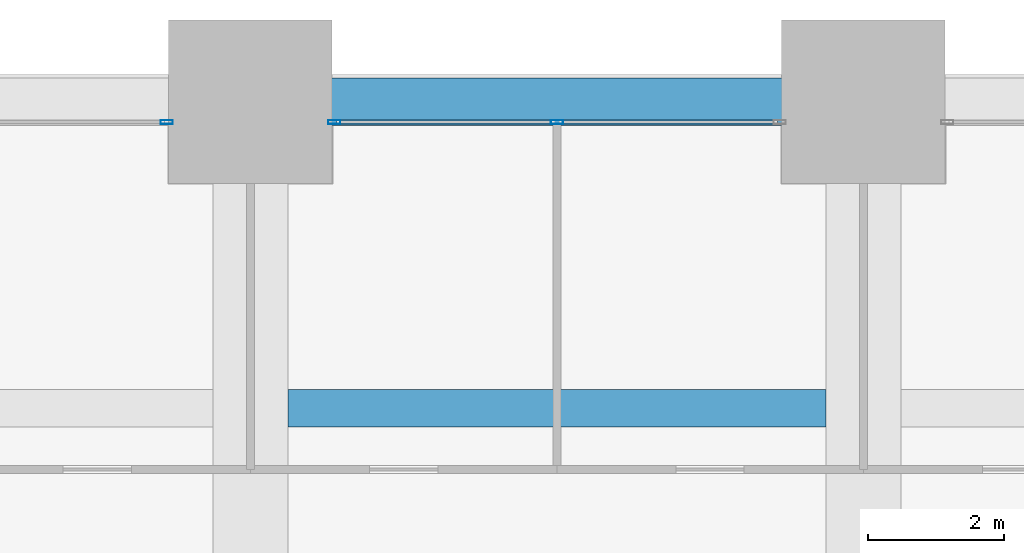
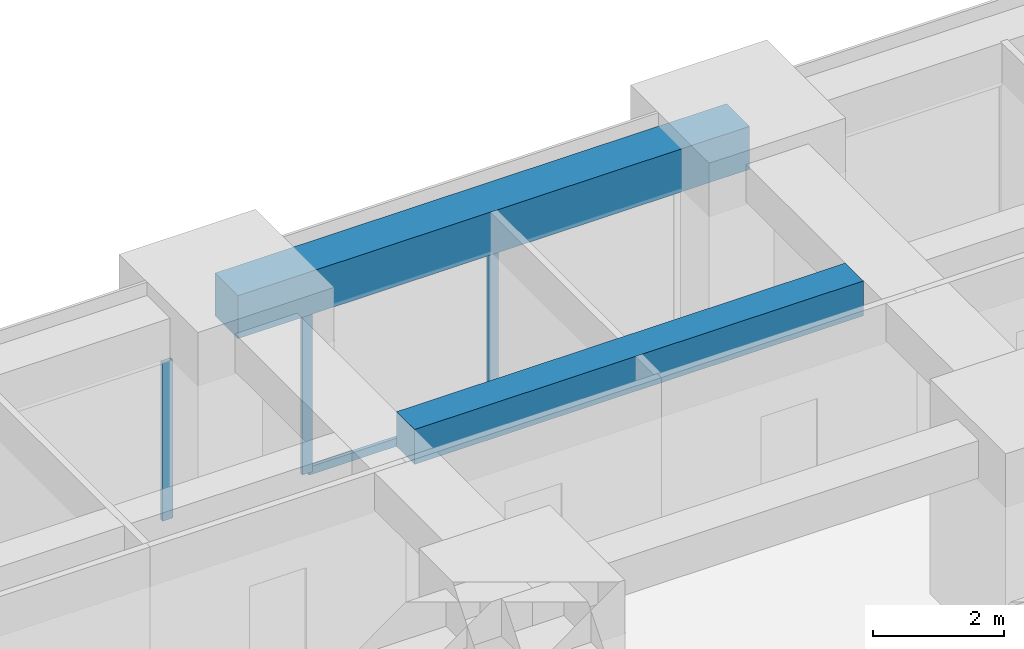
# One storey, part 30 of 44: 4 members, 2 beams, 2 elements without a shape of their own.
"""IFC4 building model written with IfcOpenShell, lengths in metres."""

from ifc_helpers import new_model, si_unit, direction, frame, origin, origin_2d, place, context, subcontext, project, spatial, rectangle, hollow_rectangle, extrude, material, material_profile, profile_set, type_object, element, aggregate, save


model = new_model("IFC4")

# Units and contexts
model_context = context("Model", 3, precision=1e-05, world=origin(), true_north=direction((0.0, 1.0)))
body_context = subcontext(model_context, "Body", "Model", "MODEL_VIEW")
ifc_project = project(units=[si_unit("LENGTHUNIT", "METRE"), si_unit("AREAUNIT", "SQUARE_METRE"), si_unit("VOLUMEUNIT", "CUBIC_METRE"), si_unit("PLANEANGLEUNIT", "RADIAN"), si_unit("MASSUNIT", "GRAM", prefix="KILO")], contexts=[model_context])

# Site, building, storey
site_placement = place(None, origin())
site = spatial("IfcSite", under=ifc_project, at=site_placement, CompositionType="ELEMENT")
building_placement = place(site_placement, origin())
building = spatial("IfcBuilding", under=site, at=building_placement, Name="Zorevar Civic Tower", CompositionType="ELEMENT")
storey_placement = place(building_placement, frame((0.0, 0.0, 35.800048828125)))
storey = spatial("IfcBuildingStorey", under=building, at=storey_placement, Name="L08", CompositionType="ELEMENT", Elevation=35.800048828125)

# Beam
ifc_material_1 = material(Name="Concrete C50/60", Category="concrete")
ifc_material_profile_1 = material_profile(ifc_material_1, rectangle(XDim=0.550048828125, YDim=0.64990234375, at=origin_2d()), Name="RC 550x650")
ifc_profile_set_1 = profile_set([ifc_material_profile_1], Name="Concrete C50/60")
beam_type_1 = type_object("IfcBeamType", Name="Beam RC 550x650", PredefinedType="BEAM", material=ifc_profile_set_1)
beam_1_placement = place(storey_placement, frame((27.550048828125, 49.5, 3.425048828125), z_axis=(1.0, 0.0, 0.0), x_axis=(0.0, 1.0, 0.0)))
element("IfcBeam", 1, at=beam_1_placement, inside=storey, type_object=beam_type_1, Name="Secondary beam L09", PredefinedType="BEAM", context=body_context, shape_type="SweptSolid", body=[
    extrude(rectangle(XDim=0.550048828125, YDim=0.64990234375, at=origin_2d()), origin(), (0.0, 0.0, 1.0), 7.89990234375),
])

# Curtain wall, member
ifc_material_2 = material(Name="Dark grey solar-control glass in black aluminium frame", Category="aluminium")
curtain_wall_type = type_object("IfcCurtainWallType", Name="Curtain wall CW2 low zone", PredefinedType="NOTDEFINED", material=ifc_material_2)
curtain_wall_1_placement = place(storey_placement, origin())
curtain_wall_1 = element("IfcCurtainWall", 2, at=curtain_wall_1_placement, inside=storey, type_object=curtain_wall_type, Name="CW2 L08", PredefinedType="NOTDEFINED")
ifc_material_3 = material(Name="Aluminium, black anodised", Category="aluminium")
ifc_material_profile_2 = material_profile(ifc_material_3, hollow_rectangle(XDim=0.06005859375, YDim=0.179931640625, WallThickness=0.00390625, at=origin_2d()), Name="AL 180x60x4")
ifc_profile_set_2 = profile_set([ifc_material_profile_2], Name="Aluminium, black anodised")
member_type_1 = type_object("IfcMemberType", Name="CW2 mullion AL 180x60x4", PredefinedType="MULLION", material=ifc_profile_set_2)
member_1_placement = place(storey_placement, frame((25.77001953125, 53.699951171875, 0.0), z_axis=(0.0, 0.0, 1.0), x_axis=(0.0, 1.0, 0.0)))
member_1 = element("IfcMember", 3, at=member_1_placement, type_object=member_type_1, Name="CW2 mullion 3", PredefinedType="MULLION", context=body_context, shape_type="SweptSolid", body=[
    extrude(hollow_rectangle(XDim=0.06005859375, YDim=0.179931640625, WallThickness=0.00390625, at=origin_2d()), origin(), (0.0, 0.0, 1.0), 2.949951171875),
])
aggregate(curtain_wall_1, [member_1])

# Curtain wall, members
curtain_wall_2_placement = place(storey_placement, origin())
curtain_wall_2 = element("IfcCurtainWall", 4, at=curtain_wall_2_placement, inside=storey, type_object=curtain_wall_type, Name="CW2 L08", PredefinedType="NOTDEFINED")
member_2_placement = place(storey_placement, frame((28.22998046875, 53.699951171875, 0.0), z_axis=(0.0, 0.0, 1.0), x_axis=(0.0, 1.0, 0.0)))
member_2 = element("IfcMember", 5, at=member_2_placement, type_object=member_type_1, Name="CW2 mullion 1", PredefinedType="MULLION", context=body_context, shape_type="SweptSolid", body=[
    extrude(hollow_rectangle(XDim=0.06005859375, YDim=0.179931640625, WallThickness=0.00390625, at=origin_2d()), origin(), (0.0, 0.0, 1.0), 2.949951171875),
])
member_3_placement = place(storey_placement, frame((31.5, 53.699951171875, 0.06005859375), z_axis=(0.0, 0.0, 1.0), x_axis=(0.0, 1.0, 0.0)))
member_3 = element("IfcMember", 6, at=member_3_placement, type_object=member_type_1, Name="CW2 mullion 2", PredefinedType="MULLION", context=body_context, shape_type="SweptSolid", body=[
    extrude(hollow_rectangle(XDim=0.06005859375, YDim=0.179931640625, WallThickness=0.00390625, at=origin_2d()), origin(), (0.0, 0.0, 1.0), 2.889892578125),
])
ifc_material_4 = material(Name="Aluminium, black anodised", Category="aluminium")
ifc_material_profile_3 = material_profile(ifc_material_4, hollow_rectangle(XDim=0.06005859375, YDim=0.14990234375, WallThickness=0.00390625, at=origin_2d()), Name="AL 150x60x4")
ifc_profile_set_3 = profile_set([ifc_material_profile_3], Name="Aluminium, black anodised")
member_type_2 = type_object("IfcMemberType", Name="CW2 transom AL 150x60x4", PredefinedType="USERDEFINED", material=ifc_profile_set_3)
member_4_placement = place(storey_placement, frame((28.260009765625, 53.699951171875, 0.030029296875), z_axis=(1.0, 0.0, 0.0), x_axis=(0.0, 1.0, 0.0)))
member_4 = element("IfcMember", 7, at=member_4_placement, type_object=member_type_2, Name="CW2 sill transom", ObjectType="TRANSOM", PredefinedType="USERDEFINED", context=body_context, shape_type="SweptSolid", body=[
    extrude(hollow_rectangle(XDim=0.06005859375, YDim=0.14990234375, WallThickness=0.00390625, at=origin_2d()), origin(), (0.0, 0.0, 1.0), 6.47998046875),
])
aggregate(curtain_wall_2, [member_2, member_3, member_4])

# Beam
ifc_material_5 = material(Name="Concrete C50/60", Category="concrete")
ifc_material_profile_4 = material_profile(ifc_material_5, rectangle(XDim=0.699951171875, YDim=0.800048828125, at=origin_2d()), Name="RC 700x800")
ifc_profile_set_4 = profile_set([ifc_material_profile_4], Name="Concrete C50/60")
beam_type_2 = type_object("IfcBeamType", Name="Edge beam RC 700x800", PredefinedType="SPANDREL", material=ifc_profile_set_4)
beam_2_placement = place(storey_placement, frame((27.0, 54.0, 3.349853515625), z_axis=(1.0, 0.0, 0.0), x_axis=(0.0, 1.0, 0.0)))
element("IfcBeam", 8, at=beam_2_placement, inside=storey, type_object=beam_type_2, Name="Edge beam L09", PredefinedType="SPANDREL", context=body_context, shape_type="SweptSolid", body=[
    extrude(rectangle(XDim=0.699951171875, YDim=0.800048828125, at=origin_2d()), origin(), (0.0, 0.0, 1.0), 9.0),
])

save(model, "model.ifc")
